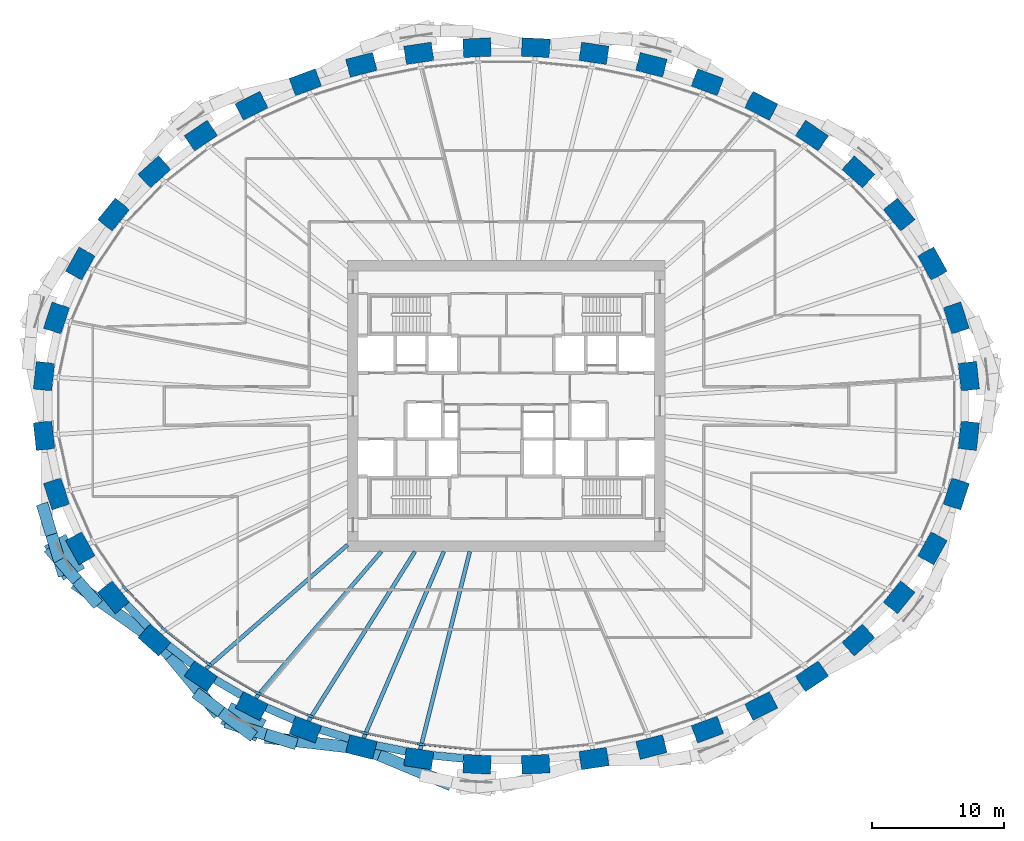
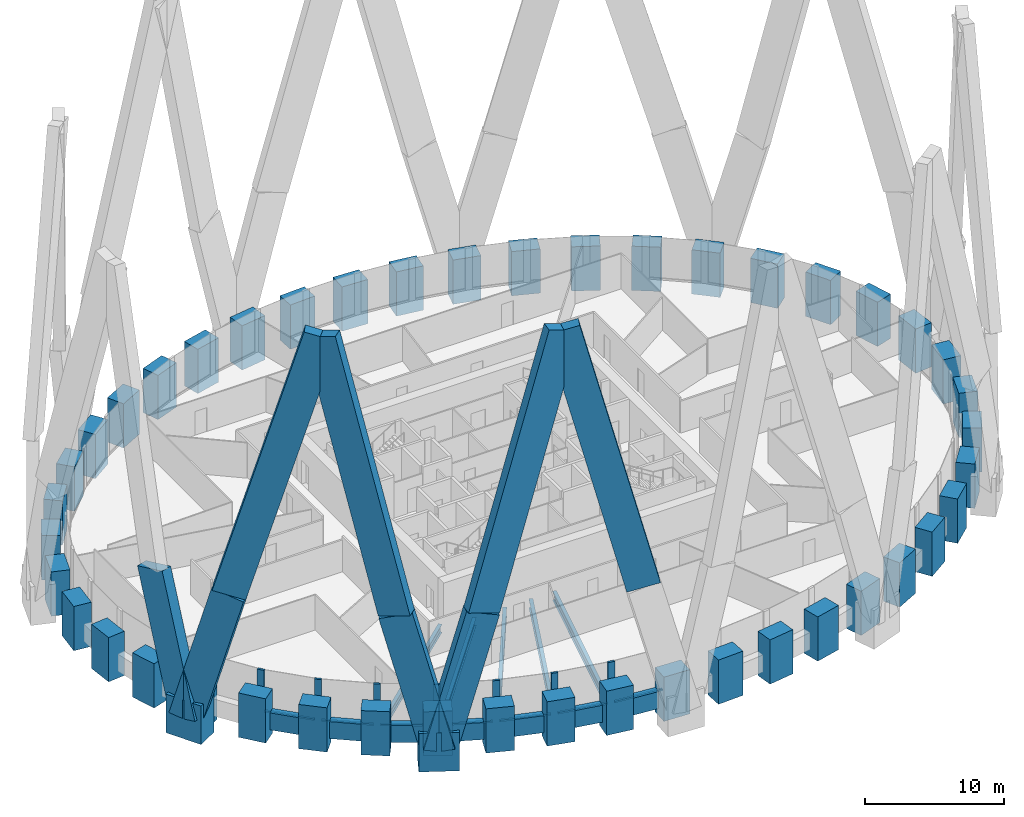
# One storey, part 1 of 12: 44 columns, 24 members, 12 beams, 1 element without a shape of its own.
"""IFC4 building model written with IfcOpenShell, lengths in metres."""

from ifc_helpers import new_model, si_unit, direction, frame, origin, origin_2d, place, context, subcontext, project, spatial, rectangle, i_section, extrude, source, transform, mapped, material, material_profile, profile_set, type_object, element, aggregate, save


model = new_model("IFC4")

# Units and contexts
model_context = context("Model", 3, precision=1e-05, world=origin(), true_north=direction((0.0, 1.0)))
body_context = subcontext(model_context, "Body", "Model", "MODEL_VIEW")
ifc_project = project(units=[si_unit("LENGTHUNIT", "METRE"), si_unit("AREAUNIT", "SQUARE_METRE"), si_unit("VOLUMEUNIT", "CUBIC_METRE"), si_unit("PLANEANGLEUNIT", "RADIAN"), si_unit("MASSUNIT", "GRAM", prefix="KILO")], contexts=[model_context])

# Site, building, storey
site_placement = place(None, origin())
site = spatial("IfcSite", under=ifc_project, at=site_placement, CompositionType="ELEMENT")
building_placement = place(site_placement, origin())
building = spatial("IfcBuilding", under=site, at=building_placement, Name="Embergate Tower", CompositionType="ELEMENT")
storey_placement = place(building_placement, frame((0.0, 0.0, 222.89990234375)))
storey = spatial("IfcBuildingStorey", under=building, at=storey_placement, Name="L51", CompositionType="ELEMENT", Elevation=222.89990234375)

# Columns
ifc_material_1 = material(Name="Concrete C60", Category="concrete")
ifc_material_profile_1 = material_profile(ifc_material_1, rectangle(XDim=1.39990234375, YDim=2.10009765625, at=origin_2d()), Name="RC 1400x2100")
ifc_profile_set_1 = profile_set([ifc_material_profile_1], Name="Concrete C60")
column_type = type_object("IfcColumnType", Name="Ring column RC 1400x2100 C60", PredefinedType="COLUMN", material=ifc_profile_set_1)
shared_shape_1 = source(origin(), body_context, "Body", "SweptSolid", [
    extrude(rectangle(XDim=1.39990234375, YDim=2.10009765625, at=origin_2d()), origin(), (0.0, 0.0, 1.0), 3.89990234375),
])
for number, where, z_axis, x_axis, name in (
    (1, (34.93505859375, 2.25, -1.39990234375), (0.0, 0.0, 1.0), (0.99428589498, 0.106749983816, 0.0), "COL-L51-00"),
    (2, (33.989990234375, 6.64501953125, -1.39990234375), (0.0, 0.0, 1.0), (0.950754033697, 0.309946394413, 0.0), "COL-L51-01"),
    (3, (32.18798828125, 10.75390625, -1.39990234375), (0.0, 0.0, 1.0), (0.873500465855, 0.486823311018, 0.0), "COL-L51-02"),
    (4, (29.672119140625, 14.455078125, -1.39990234375), (0.0, 0.0, 1.0), (0.775925311702, 0.630824786022, 0.0), "COL-L51-03"),
    (5, (26.592041015625, 17.68408203125, -1.39990234375), (0.0, 0.0, 1.0), (0.669221393633, 0.743063070206, 0.0), "COL-L51-04"),
    (6, (23.0830078125, 20.423095703125, -1.39990234375), (0.0, 0.0, 1.0), (0.560393279442, 0.828226643109, 0.0), "COL-L51-05"),
    (7, (19.2529296875, 22.675048828125, -1.39990234375), (0.0, 0.0, 1.0), (0.453010512651, 0.891505174089, 0.0), "COL-L51-06"),
    (8, (15.18896484375, 24.452880859375, -1.39990234375), (0.0, 0.0, 1.0), (0.348343015724, 0.93736713373, 0.0), "COL-L51-07"),
    (9, (10.9580078125, 25.77001953125, -1.39990234375), (0.0, 0.0, 1.0), (0.24650851817, 0.969140624713, 0.0), "COL-L51-08"),
    (10, (6.616943359375, 26.64111328125, -1.39990234375), (0.0, 0.0, 1.0), (0.146929011949, 0.989147039346, 0.0), "COL-L51-09"),
    (11, (2.212890625, 27.073974609375, -1.39990234375), (0.0, 0.0, 1.0), (0.048814904854, 0.998807841912, 0.0), "COL-L51-10"),
    (12, (-2.212890625, 27.073974609375, -1.39990234375), (0.0, 0.0, 1.0), (-0.048814904854, 0.998807841912, 0.0), "COL-L51-11"),
    (13, (-6.616943359375, 26.64111328125, -1.39990234375), (0.0, 0.0, 1.0), (-0.146929011949, 0.989147039346, 0.0), "COL-L51-12"),
    (14, (-10.9580078125, 25.77001953125, -1.39990234375), (0.0, 0.0, 1.0), (-0.24650851817, 0.969140624713, 0.0), "COL-L51-13"),
    (15, (-15.18896484375, 24.452880859375, -1.39990234375), (0.0, 0.0, 1.0), (-0.348343015724, 0.93736713373, 0.0), "COL-L51-14"),
    (16, (-19.2529296875, 22.675048828125, -1.39990234375), (0.0, 0.0, 1.0), (-0.453010512651, 0.891505174089, 0.0), "COL-L51-15"),
    (17, (-23.0830078125, 20.423095703125, -1.39990234375), (0.0, 0.0, 1.0), (-0.560393279442, 0.828226643109, 0.0), "COL-L51-16"),
    (18, (-26.592041015625, 17.68408203125, -1.39990234375), (0.0, 0.0, 1.0), (-0.669221393633, 0.743063070206, 0.0), "COL-L51-17"),
    (19, (-29.672119140625, 14.455078125, -1.39990234375), (0.0, 0.0, 1.0), (-0.775925311702, 0.630824786022, 0.0), "COL-L51-18"),
    (20, (-32.18798828125, 10.75390625, -1.39990234375), (0.0, 0.0, 1.0), (-0.873500465855, 0.486823311018, 0.0), "COL-L51-19"),
    (21, (-33.989990234375, 6.64501953125, -1.39990234375), (0.0, 0.0, 1.0), (-0.950754033697, 0.309946394413, 0.0), "COL-L51-20"),
    (22, (-34.93505859375, 2.25, -1.39990234375), (0.0, 0.0, 1.0), (-0.99428589498, 0.106749983816, 0.0), "COL-L51-21"),
    (23, (-34.93505859375, -2.25, -1.39990234375), (0.0, 0.0, 1.0), (-0.99428589498, -0.106749983816, 0.0), "COL-L51-22"),
    (24, (-33.989990234375, -6.64501953125, -1.39990234375), (0.0, 0.0, 1.0), (-0.950754033697, -0.309946394413, 0.0), "COL-L51-23"),
    (25, (-32.18798828125, -10.75390625, -1.39990234375), (0.0, 0.0, 1.0), (-0.873500465855, -0.486823311018, 0.0), "COL-L51-24"),
    (26, (-29.672119140625, -14.455078125, -1.39990234375), (0.0, 0.0, 1.0), (-0.775925311702, -0.630824786022, 0.0), "COL-L51-25"),
    (27, (-26.592041015625, -17.68408203125, -1.39990234375), (0.0, 0.0, 1.0), (-0.669221393633, -0.743063070206, 0.0), "COL-L51-26"),
    (28, (-23.0830078125, -20.423095703125, -1.39990234375), (0.0, 0.0, 1.0), (-0.560393279442, -0.828226643109, 0.0), "COL-L51-27"),
    (29, (-19.2529296875, -22.675048828125, -1.39990234375), (0.0, 0.0, 1.0), (-0.453010512651, -0.891505174089, 0.0), "COL-L51-28"),
    (30, (-15.18896484375, -24.452880859375, -1.39990234375), (0.0, 0.0, 1.0), (-0.348343015724, -0.93736713373, 0.0), "COL-L51-29"),
    (31, (-10.9580078125, -25.77001953125, -1.39990234375), (0.0, 0.0, 1.0), (-0.24650851817, -0.969140624713, 0.0), "COL-L51-30"),
    (32, (-6.616943359375, -26.64111328125, -1.39990234375), (0.0, 0.0, 1.0), (-0.146929011949, -0.989147039346, 0.0), "COL-L51-31"),
    (33, (-2.212890625, -27.073974609375, -1.39990234375), (0.0, 0.0, 1.0), (-0.048814904854, -0.998807841912, 0.0), "COL-L51-32"),
    (34, (2.212890625, -27.073974609375, -1.39990234375), (0.0, 0.0, 1.0), (0.048814904854, -0.998807841912, 0.0), "COL-L51-33"),
    (35, (6.616943359375, -26.64111328125, -1.39990234375), (0.0, 0.0, 1.0), (0.146929011949, -0.989147039346, 0.0), "COL-L51-34"),
    (36, (10.9580078125, -25.77001953125, -1.39990234375), (0.0, 0.0, 1.0), (0.24650851817, -0.969140624713, 0.0), "COL-L51-35"),
    (37, (15.18896484375, -24.452880859375, -1.39990234375), (0.0, 0.0, 1.0), (0.348343015724, -0.93736713373, 0.0), "COL-L51-36"),
    (38, (19.2529296875, -22.675048828125, -1.39990234375), (0.0, 0.0, 1.0), (0.453010512651, -0.891505174089, 0.0), "COL-L51-37"),
    (39, (23.0830078125, -20.423095703125, -1.39990234375), (0.0, 0.0, 1.0), (0.560393279442, -0.828226643109, 0.0), "COL-L51-38"),
    (40, (26.592041015625, -17.68408203125, -1.39990234375), (0.0, 0.0, 1.0), (0.669221393633, -0.743063070206, 0.0), "COL-L51-39"),
    (41, (29.672119140625, -14.455078125, -1.39990234375), (0.0, 0.0, 1.0), (0.775925311702, -0.630824786022, 0.0), "COL-L51-40"),
    (42, (32.18798828125, -10.75390625, -1.39990234375), (0.0, 0.0, 1.0), (0.873500465855, -0.486823311018, 0.0), "COL-L51-41"),
    (43, (33.989990234375, -6.64501953125, -1.39990234375), (0.0, 0.0, 1.0), (0.950754033697, -0.309946394413, 0.0), "COL-L51-42"),
    (44, (34.93505859375, -2.25, -1.39990234375), (0.0, 0.0, 1.0), (0.99428589498, -0.106749983816, 0.0), "COL-L51-43"),
):
    element("IfcColumn", number, at=place(storey_placement, frame(where, z_axis=z_axis, x_axis=x_axis)), inside=storey, type_object=column_type, Name=name, PredefinedType="COLUMN", context=body_context, shape_type="MappedRepresentation", body=[
        mapped(shared_shape_1, transform((0.0, 0.0, 0.0))),
    ])

# Beams
ifc_material_profile_2 = material_profile(ifc_material_1, rectangle(XDim=0.60009765625, YDim=1.5, at=origin_2d()), Name="RC 600x1500")
ifc_profile_set_2 = profile_set([ifc_material_profile_2], Name="Concrete C60")
beam_type_1 = type_object("IfcBeamType", Name="Spandrel beam RC 600x1500 C60", PredefinedType="BEAM", material=ifc_profile_set_2)
shared_shape_2 = source(origin(), body_context, "Body", "SweptSolid", [
    extrude(rectangle(XDim=0.60009765625, YDim=1.5, at=origin_2d()), origin(), (0.0, 0.0, 1.0), 2.30712890625),
])
beam_1_placement = place(storey_placement, frame((-28.697998046875, -15.01611328125, 0.0), z_axis=(0.690460646057, -0.723369958076, 0.0), x_axis=(0.723369958076, 0.690460646057, 0.0)))
element("IfcBeam", 45, at=beam_1_placement, inside=storey, type_object=beam_type_1, Name="SPN-L51-25", PredefinedType="BEAM", context=body_context, shape_type="MappedRepresentation", body=[
    mapped(shared_shape_2, transform((0.0, 0.0, 0.0))),
])
shared_shape_3 = source(origin(), body_context, "Body", "SweptSolid", [
    extrude(rectangle(XDim=0.60009765625, YDim=1.5, at=origin_2d()), origin(), (0.0, 0.0, 1.0), 2.30224609375),
])
beam_2_placement = place(storey_placement, frame((-25.549072265625, -18.094970703125, 0.0), z_axis=(0.788466304813, -0.6150779513, 0.0), x_axis=(0.6150779513, 0.788466304813, 0.0)))
element("IfcBeam", 46, at=beam_2_placement, inside=storey, type_object=beam_type_1, Name="SPN-L51-26", PredefinedType="BEAM", context=body_context, shape_type="MappedRepresentation", body=[
    mapped(shared_shape_3, transform((0.0, 0.0, 0.0))),
])
shared_shape_4 = source(origin(), body_context, "Body", "SweptSolid", [
    extrude(rectangle(XDim=0.60009765625, YDim=1.5, at=origin_2d()), origin(), (0.0, 0.0, 1.0), 2.29931640625),
])
beam_3_placement = place(storey_placement, frame((-21.9970703125, -20.69189453125, 0.0), z_axis=(0.86211432003, -0.506713823769, 0.0), x_axis=(0.506713823769, 0.86211432003, 0.0)))
element("IfcBeam", 47, at=beam_3_placement, inside=storey, type_object=beam_type_1, Name="SPN-L51-27", PredefinedType="BEAM", context=body_context, shape_type="MappedRepresentation", body=[
    mapped(shared_shape_4, transform((0.0, 0.0, 0.0))),
])
shared_shape_5 = source(origin(), body_context, "Body", "SweptSolid", [
    extrude(rectangle(XDim=0.60009765625, YDim=1.5, at=origin_2d()), origin(), (0.0, 0.0, 1.0), 2.294189453125),
])
beam_4_placement = place(storey_placement, frame((-18.135986328125, -22.7939453125, 0.0), z_axis=(0.916269649714, -0.400562016437, 0.0), x_axis=(0.400562016437, 0.916269649714, 0.0)))
element("IfcBeam", 48, at=beam_4_placement, inside=storey, type_object=beam_type_1, Name="SPN-L51-28", PredefinedType="BEAM", context=body_context, shape_type="MappedRepresentation", body=[
    mapped(shared_shape_5, transform((0.0, 0.0, 0.0))),
])
shared_shape_6 = source(origin(), body_context, "Body", "SweptSolid", [
    extrude(rectangle(XDim=0.60009765625, YDim=1.5, at=origin_2d()), origin(), (0.0, 0.0, 1.0), 2.29248046875),
])
beam_5_placement = place(storey_placement, frame((-14.06689453125, -24.447021484375, 0.0), z_axis=(0.954869530389, -0.297025554345, 0.0), x_axis=(0.297025554345, 0.954869530389, 0.0)))
element("IfcBeam", 49, at=beam_5_placement, inside=storey, type_object=beam_type_1, Name="SPN-L51-29", PredefinedType="BEAM", context=body_context, shape_type="MappedRepresentation", body=[
    mapped(shared_shape_6, transform((0.0, 0.0, 0.0))),
])
shared_shape_7 = source(origin(), body_context, "Body", "SweptSolid", [
    extrude(rectangle(XDim=0.60009765625, YDim=1.5, at=origin_2d()), origin(), (0.0, 0.0, 1.0), 2.289794921875),
])
beam_6_placement = place(storey_placement, frame((-9.843017578125, -25.64794921875, 0.0), z_axis=(0.980502681686, -0.196505702735, 0.0), x_axis=(0.196505702735, 0.980502681686, 0.0)))
element("IfcBeam", 50, at=beam_6_placement, inside=storey, type_object=beam_type_1, Name="SPN-L51-30", PredefinedType="BEAM", context=body_context, shape_type="MappedRepresentation", body=[
    mapped(shared_shape_7, transform((0.0, 0.0, 0.0))),
])
shared_shape_8 = source(origin(), body_context, "Body", "SweptSolid", [
    extrude(rectangle(XDim=0.60009765625, YDim=1.5, at=origin_2d()), origin(), (0.0, 0.0, 1.0), 2.2890625),
])
beam_7_placement = place(storey_placement, frame((-5.52099609375, -26.407958984375, 0.0), z_axis=(0.995195366702, -0.097909050116, 0.0), x_axis=(0.097909050116, 0.995195366702, 0.0)))
element("IfcBeam", 51, at=beam_7_placement, inside=storey, type_object=beam_type_1, Name="SPN-L51-31", PredefinedType="BEAM", context=body_context, shape_type="MappedRepresentation", body=[
    mapped(shared_shape_8, transform((0.0, 0.0, 0.0))),
])
ifc_material_2 = material(Name="Steel Q355B", Category="steel")
ifc_material_profile_3 = material_profile(ifc_material_2, i_section(OverallWidth=0.300048828125, OverallDepth=0.699951171875, WebThickness=0.012939453125, FlangeThickness=0.02392578125, FilletRadius=0.01806640625, at=origin_2d()), Name="HN 700x300x13x24")
ifc_profile_set_3 = profile_set([ifc_material_profile_3], Name="Steel Q355 grade B")
beam_type_2 = type_object("IfcBeamType", Name="Radial girder HN 700x300x13x24", PredefinedType="BEAM", material=ifc_profile_set_3)
shared_shape_9 = source(origin(), body_context, "Body", "SweptSolid", [
    extrude(i_section(OverallWidth=0.300048828125, OverallDepth=0.699951171875, WebThickness=0.012939453125, FlangeThickness=0.02392578125, FilletRadius=0.01806640625, at=origin_2d()), origin(), (0.0, 0.0, 1.0), 14.2021484375),
])
beam_8_placement = place(storey_placement, frame((-22.69091796875, -19.843017578125, -0.5498046875), z_axis=(0.752766213958, 0.658287951525, 0.0), x_axis=(-0.658287951525, 0.752766213958, 0.0)))
element("IfcBeam", 52, at=beam_8_placement, inside=storey, type_object=beam_type_2, Name="GIR-L51-27", PredefinedType="BEAM", context=body_context, shape_type="MappedRepresentation", body=[
    mapped(shared_shape_9, transform((0.0, 0.0, 0.0))),
])
shared_shape_10 = source(origin(), body_context, "Body", "SweptSolid", [
    extrude(i_section(OverallWidth=0.300048828125, OverallDepth=0.699951171875, WebThickness=0.012939453125, FlangeThickness=0.02392578125, FilletRadius=0.01806640625, at=origin_2d()), origin(), (0.0, 0.0, 1.0), 14.566650390625),
])
beam_9_placement = place(storey_placement, frame((-18.93603515625, -22.051025390625, -0.5498046875), z_axis=(0.651490890216, 0.758656457144, 0.0), x_axis=(-0.758656457144, 0.651490890216, 0.0)))
element("IfcBeam", 53, at=beam_9_placement, inside=storey, type_object=beam_type_2, Name="GIR-L51-28", PredefinedType="BEAM", context=body_context, shape_type="MappedRepresentation", body=[
    mapped(shared_shape_10, transform((0.0, 0.0, 0.0))),
])
ifc_material_profile_4 = material_profile(ifc_material_2, i_section(OverallWidth=0.300048828125, OverallDepth=0.800048828125, WebThickness=0.013916015625, FlangeThickness=0.02587890625, FilletRadius=0.028076171875, at=origin_2d()), Name="HN 800x300x14x26")
ifc_profile_set_4 = profile_set([ifc_material_profile_4], Name="Steel Q355 grade B")
beam_type_3 = type_object("IfcBeamType", Name="Radial girder HN 800x300x14x26", PredefinedType="BEAM", material=ifc_profile_set_4)
shared_shape_11 = source(origin(), body_context, "Body", "SweptSolid", [
    extrude(i_section(OverallWidth=0.300048828125, OverallDepth=0.800048828125, WebThickness=0.013916015625, FlangeThickness=0.02587890625, FilletRadius=0.028076171875, at=origin_2d()), origin(), (0.0, 0.0, 1.0), 15.111572265625),
])
beam_10_placement = place(storey_placement, frame((-14.945068359375, -23.797119140625, -0.599853515625), z_axis=(0.531849241283, 0.846839054689, 0.0), x_axis=(-0.846839054689, 0.531849241283, 0.0)))
element("IfcBeam", 54, at=beam_10_placement, inside=storey, type_object=beam_type_3, Name="GIR-L51-29", PredefinedType="BEAM", context=body_context, shape_type="MappedRepresentation", body=[
    mapped(shared_shape_11, transform((0.0, 0.0, 0.0))),
])
shared_shape_12 = source(origin(), body_context, "Body", "SweptSolid", [
    extrude(i_section(OverallWidth=0.300048828125, OverallDepth=0.800048828125, WebThickness=0.013916015625, FlangeThickness=0.02587890625, FilletRadius=0.028076171875, at=origin_2d()), origin(), (0.0, 0.0, 1.0), 15.338623046875),
])
beam_11_placement = place(storey_placement, frame((-10.784912109375, -25.092041015625, -0.599853515625), z_axis=(0.394879579292, 0.91873288711, 0.0), x_axis=(-0.91873288711, 0.394879579292, 0.0)))
element("IfcBeam", 55, at=beam_11_placement, inside=storey, type_object=beam_type_3, Name="GIR-L51-30", PredefinedType="BEAM", context=body_context, shape_type="MappedRepresentation", body=[
    mapped(shared_shape_12, transform((0.0, 0.0, 0.0))),
])
shared_shape_13 = source(origin(), body_context, "Body", "SweptSolid", [
    extrude(i_section(OverallWidth=0.300048828125, OverallDepth=0.800048828125, WebThickness=0.013916015625, FlangeThickness=0.02587890625, FilletRadius=0.028076171875, at=origin_2d()), origin(), (0.0, 0.0, 1.0), 15.412841796875),
])
beam_12_placement = place(storey_placement, frame((-6.513916015625, -25.948974609375, -0.599853515625), z_axis=(0.243493364417, 0.969902562882, 0.0), x_axis=(-0.969902562882, 0.243493364417, 0.0)))
element("IfcBeam", 56, at=beam_12_placement, inside=storey, type_object=beam_type_3, Name="GIR-L51-31", PredefinedType="BEAM", context=body_context, shape_type="MappedRepresentation", body=[
    mapped(shared_shape_13, transform((0.0, 0.0, 0.0))),
])

# Members
ifc_material_3 = material(Name="Concrete C70", Category="concrete")
ifc_material_profile_5 = material_profile(ifc_material_3, rectangle(XDim=1.800048828125, YDim=2.949951171875, at=origin_2d()), Name="RC 1800x2950")
ifc_profile_set_5 = profile_set([ifc_material_profile_5], Name="Concrete C70")
member_type_1 = type_object("IfcMemberType", Name="Lattice node block RC 1800x2950", PredefinedType="POST", material=ifc_profile_set_5)
shared_shape_14 = source(origin(), body_context, "Body", "SweptSolid", [
    extrude(rectangle(XDim=1.800048828125, YDim=2.949951171875, at=origin_2d()), origin(), (0.0, 0.0, 1.0), 3.400146484375),
])
member_1_placement = place(storey_placement, frame((-19.864990234375, -23.87890625, -1.699951171875), z_axis=(0.0, 0.0, 1.0), x_axis=(-0.453010512651, -0.891505174089, 0.0)))
element("IfcMember", 57, at=member_1_placement, inside=storey, type_object=member_type_1, Name="NOD-L51-28", PredefinedType="POST", context=body_context, shape_type="MappedRepresentation", body=[
    mapped(shared_shape_14, transform((0.0, 0.0, 0.0))),
])
ifc_material_profile_6 = material_profile(ifc_material_3, rectangle(XDim=1.85009765625, YDim=2.949951171875, at=origin_2d()), Name="RC 1850x2950")
ifc_profile_set_6 = profile_set([ifc_material_profile_6], Name="Concrete C70")
member_type_2 = type_object("IfcMemberType", Name="Lattice node block RC 1850x2950", PredefinedType="POST", material=ifc_profile_set_6)
shared_shape_15 = source(origin(), body_context, "Body", "SweptSolid", [
    extrude(rectangle(XDim=1.85009765625, YDim=2.949951171875, at=origin_2d()), origin(), (0.0, 0.0, 1.0), 3.400146484375),
])
member_2_placement = place(storey_placement, frame((-33.388916015625, -11.424072265625, -1.699951171875), z_axis=(0.0, 0.0, 1.0), x_axis=(-0.873500465855, -0.486823311018, 0.0)))
element("IfcMember", 58, at=member_2_placement, inside=storey, type_object=member_type_2, Name="NOD-L51-24", PredefinedType="POST", context=body_context, shape_type="MappedRepresentation", body=[
    mapped(shared_shape_15, transform((0.0, 0.0, 0.0))),
])
ifc_material_profile_7 = material_profile(ifc_material_3, rectangle(XDim=0.89990234375, YDim=2.530029296875, at=origin_2d()), Name="RC 900x2530")
ifc_profile_set_7 = profile_set([ifc_material_profile_7], Name="Concrete C70")
member_type_3 = type_object("IfcMemberType", Name="Lattice diagonal terracotta-faced RC 900x2530", PredefinedType="BRACE", material=ifc_profile_set_7)
shared_shape_16 = source(origin(), body_context, "Body", "SweptSolid", [
    extrude(rectangle(XDim=0.89990234375, YDim=2.530029296875, at=origin_2d()), origin(), (0.0, 0.0, 1.0), 12.136962890625),
])
member_3_placement = place(storey_placement, frame((-33.782958984375, -11.64306640625, 0.0), z_axis=(-0.077947236384, 0.254178394569, 0.96401118877), x_axis=(-0.956055056522, -0.293187190885, 0.0)))
element("IfcMember", 59, at=member_3_placement, inside=storey, type_object=member_type_3, Name="BRC-L51-24-22-S00", PredefinedType="BRACE", context=body_context, shape_type="MappedRepresentation", body=[
    mapped(shared_shape_16, transform((0.0, 0.0, 0.0))),
])
shared_shape_17 = source(origin(), body_context, "Body", "SweptSolid", [
    extrude(rectangle(XDim=0.89990234375, YDim=2.530029296875, at=origin_2d()), origin(), (0.0, 0.0, 1.0), 12.14501953125),
])
member_4_placement = place(storey_placement, frame((-33.782958984375, -11.64306640625, 0.0), z_axis=(0.176114520828, -0.202227152097, 0.963373164723), x_axis=(0.754116325683, 0.656740867724, 0.0)))
element("IfcMember", 60, at=member_4_placement, inside=storey, type_object=member_type_3, Name="BRC-L51-24-26-S00", PredefinedType="BRACE", context=body_context, shape_type="MappedRepresentation", body=[
    mapped(shared_shape_17, transform((0.0, 0.0, 0.0))),
])
shared_shape_18 = source(origin(), body_context, "Body", "SweptSolid", [
    extrude(rectangle(XDim=0.89990234375, YDim=2.530029296875, at=origin_2d()), origin(), (0.0, 0.0, 1.0), 24.140869140625),
])
member_5_placement = place(storey_placement, frame((-31.64404296875, -14.09912109375, 11.7001953125), z_axis=(0.225797114704, -0.159515290466, 0.961025772339), x_axis=(0.576994813698, 0.816747809893, 0.0)))
element("IfcMember", 61, at=member_5_placement, inside=storey, type_object=member_type_3, Name="BRC-L51-24-26-S01", PredefinedType="BRACE", context=body_context, shape_type="MappedRepresentation", body=[
    mapped(shared_shape_18, transform((0.0, 0.0, 0.0))),
])
shared_shape_19 = source(origin(), body_context, "Body", "SweptSolid", [
    extrude(rectangle(XDim=0.89990234375, YDim=2.530029296875, at=origin_2d()), origin(), (0.0, 0.0, 1.0), 12.1015625),
])
member_6_placement = place(storey_placement, frame((-20.051025390625, -24.2451171875, 0.0), z_axis=(-0.204185671793, 0.153386390934, 0.966840641735), x_axis=(-0.600619161801, -0.799535254056, 0.0)))
element("IfcMember", 62, at=member_6_placement, inside=storey, type_object=member_type_3, Name="BRC-L51-28-26-S00", PredefinedType="BRACE", context=body_context, shape_type="MappedRepresentation", body=[
    mapped(shared_shape_19, transform((0.0, 0.0, 0.0))),
])
shared_shape_20 = source(origin(), body_context, "Body", "SweptSolid", [
    extrude(rectangle(XDim=0.89990234375, YDim=2.530029296875, at=origin_2d()), origin(), (0.0, 0.0, 1.0), 23.904296875),
])
member_7_placement = place(storey_placement, frame((-22.52197265625, -22.388916015625, 11.7001953125), z_axis=(-0.153576140617, 0.185696707368, 0.970531350295), x_axis=(-0.770606043621, -0.637311796168, 0.0)))
element("IfcMember", 63, at=member_7_placement, inside=storey, type_object=member_type_3, Name="BRC-L51-28-26-S01", PredefinedType="BRACE", context=body_context, shape_type="MappedRepresentation", body=[
    mapped(shared_shape_20, transform((0.0, 0.0, 0.0))),
])
shared_shape_21 = source(origin(), body_context, "Body", "SweptSolid", [
    extrude(rectangle(XDim=0.89990234375, YDim=2.530029296875, at=origin_2d()), origin(), (0.0, 0.0, 1.0), 12.121826171875),
])
member_8_placement = place(storey_placement, frame((-20.051025390625, -24.2451171875, 0.0), z_axis=(0.249801351795, -0.077278705703, 0.965208415984), x_axis=(0.295541471282, 0.955329910948, 0.0)))
element("IfcMember", 64, at=member_8_placement, inside=storey, type_object=member_type_3, Name="BRC-L51-28-30-S00", PredefinedType="BRACE", context=body_context, shape_type="MappedRepresentation", body=[
    mapped(shared_shape_21, transform((0.0, 0.0, 0.0))),
])
shared_shape_22 = source(origin(), body_context, "Body", "SweptSolid", [
    extrude(rectangle(XDim=0.89990234375, YDim=2.530029296875, at=origin_2d()), origin(), (0.0, 0.0, 1.0), 24.049072265625),
])
member_9_placement = place(storey_placement, frame((-17.02294921875, -25.181884765625, 11.7001953125), z_axis=(0.26163128298, -0.030313169757, 0.964691755695), x_axis=(0.115092249571, 0.993354807754, 0.0)))
element("IfcMember", 65, at=member_9_placement, inside=storey, type_object=member_type_3, Name="BRC-L51-28-30-S01", PredefinedType="BRACE", context=body_context, shape_type="MappedRepresentation", body=[
    mapped(shared_shape_22, transform((0.0, 0.0, 0.0))),
])
shared_shape_23 = source(origin(), body_context, "Body", "SweptSolid", [
    extrude(rectangle(XDim=0.89990234375, YDim=2.530029296875, at=origin_2d()), origin(), (0.0, 0.0, 1.0), 23.931640625),
])
member_10_placement = place(storey_placement, frame((-5.31201171875, -28.174072265625, 11.7001953125), z_axis=(-0.226434089646, 0.09456857141, 0.969424771887), x_axis=(-0.385382755288, -0.922756810827, 0.0)))
element("IfcMember", 66, at=member_10_placement, inside=storey, type_object=member_type_3, Name="BRC-L51-32-30-S01", PredefinedType="BRACE", context=body_context, shape_type="MappedRepresentation", body=[
    mapped(shared_shape_23, transform((0.0, 0.0, 0.0))),
])

# Curtain wall, members
ifc_material_4 = material(Name="Aluminium and glass", Category="aluminium")
curtain_wall_type = type_object("IfcCurtainWallType", Name="Recessed office glazing", PredefinedType="NOTDEFINED", material=ifc_material_4)
curtain_wall_placement = place(storey_placement, origin())
curtain_wall = element("IfcCurtainWall", 67, at=curtain_wall_placement, inside=storey, type_object=curtain_wall_type, Name="Recessed office glazing ring", ObjectType="RECESSED OFFICE GLAZING", PredefinedType="USERDEFINED")
ifc_material_5 = material(Name="Aluminium, thermally broken", Category="aluminium")
ifc_material_profile_8 = material_profile(ifc_material_5, rectangle(XDim=0.179931640625, YDim=0.52001953125, at=origin_2d()), Name="AL 520x180")
ifc_profile_set_8 = profile_set([ifc_material_profile_8], Name="Aluminium, thermally broken")
member_type_4 = type_object("IfcMemberType", Name="Office mullion", PredefinedType="MULLION", material=ifc_profile_set_8)
shared_shape_24 = source(origin(), body_context, "Body", "SweptSolid", [
    extrude(rectangle(XDim=0.179931640625, YDim=0.52001953125, at=origin_2d()), origin(), (0.0, 0.0, 1.0), 3.7001953125),
])
member_11_placement = place(storey_placement, frame((-28.826171875, -13.76708984375, 0.0), z_axis=(0.0, 0.0, 1.0), x_axis=(0.777872564355, 0.628422050555, 0.0)))
member_11 = element("IfcMember", 68, at=member_11_placement, type_object=member_type_4, Name="CW mullion 26", PredefinedType="MULLION", context=body_context, shape_type="MappedRepresentation", body=[
    mapped(shared_shape_24, transform((0.0, 0.0, 0.0))),
])
member_12_placement = place(storey_placement, frame((-25.86279296875, -16.87451171875, 0.0), z_axis=(0.0, 0.0, 1.0), x_axis=(0.671227827685, 0.741251106806, 0.0)))
member_12 = element("IfcMember", 69, at=member_12_placement, type_object=member_type_4, Name="CW mullion 27", PredefinedType="MULLION", context=body_context, shape_type="MappedRepresentation", body=[
    mapped(shared_shape_24, transform((0.0, 0.0, 0.0))),
])
member_13_placement = place(storey_placement, frame((-22.472412109375, -19.520751953125, 0.0), z_axis=(0.0, 0.0, 1.0), x_axis=(0.562219061911, 0.826988347211, 0.0)))
member_13 = element("IfcMember", 70, at=member_13_placement, type_object=member_type_4, Name="CW mullion 28", PredefinedType="MULLION", context=body_context, shape_type="MappedRepresentation", body=[
    mapped(shared_shape_24, transform((0.0, 0.0, 0.0))),
])
member_14_placement = place(storey_placement, frame((-18.759521484375, -21.70361328125, 0.0), z_axis=(0.0, 0.0, 1.0), x_axis=(0.454512935162, 0.89074013706, 0.0)))
member_14 = element("IfcMember", 71, at=member_14_placement, type_object=member_type_4, Name="CW mullion 29", PredefinedType="MULLION", context=body_context, shape_type="MappedRepresentation", body=[
    mapped(shared_shape_24, transform((0.0, 0.0, 0.0))),
])
member_15_placement = place(storey_placement, frame((-14.80908203125, -23.430908203125, 0.0), z_axis=(0.0, 0.0, 1.0), x_axis=(0.349504318111, 0.93693475313, 0.0)))
member_15 = element("IfcMember", 72, at=member_15_placement, type_object=member_type_4, Name="CW mullion 30", PredefinedType="MULLION", context=body_context, shape_type="MappedRepresentation", body=[
    mapped(shared_shape_24, transform((0.0, 0.0, 0.0))),
])
member_16_placement = place(storey_placement, frame((-10.689453125, -24.7138671875, 0.0), z_axis=(0.0, 0.0, 1.0), x_axis=(0.247313572481, 0.968935496752, 0.0)))
member_16 = element("IfcMember", 73, at=member_16_placement, type_object=member_type_4, Name="CW mullion 31", PredefinedType="MULLION", context=body_context, shape_type="MappedRepresentation", body=[
    mapped(shared_shape_24, transform((0.0, 0.0, 0.0))),
])
member_17_placement = place(storey_placement, frame((-6.456787109375, -25.562744140625, 0.0), z_axis=(0.0, 0.0, 1.0), x_axis=(0.14741410908, 0.98907486089, 0.0)))
member_17 = element("IfcMember", 74, at=member_17_placement, type_object=member_type_4, Name="CW mullion 32", PredefinedType="MULLION", context=body_context, shape_type="MappedRepresentation", body=[
    mapped(shared_shape_24, transform((0.0, 0.0, 0.0))),
])
ifc_material_profile_9 = material_profile(ifc_material_5, rectangle(XDim=0.179931640625, YDim=0.14990234375, at=origin_2d()), Name="AL 150x180")
ifc_profile_set_9 = profile_set([ifc_material_profile_9], Name="Aluminium, thermally broken")
member_type_5 = type_object("IfcMemberType", Name="Office sill transom", PredefinedType="USERDEFINED", material=ifc_profile_set_9)
shared_shape_25 = source(origin(), body_context, "Body", "SweptSolid", [
    extrude(rectangle(XDim=0.179931640625, YDim=0.14990234375, at=origin_2d()), origin(), (0.0, 0.0, 1.0), 3.773681640625),
])
member_18_placement = place(storey_placement, frame((-28.646484375, -13.955322265625, 0.0751953125), z_axis=(0.690118677227, -0.723696214818, 0.0), x_axis=(0.723696214818, 0.690118677227, 0.0)))
member_18 = element("IfcMember", 75, at=member_18_placement, type_object=member_type_5, Name="CW transom 26.1", ObjectType="TRANSOM", PredefinedType="USERDEFINED", context=body_context, shape_type="MappedRepresentation", body=[
    mapped(shared_shape_25, transform((0.0, 0.0, 0.0))),
])
shared_shape_26 = source(origin(), body_context, "Body", "SweptSolid", [
    extrude(rectangle(XDim=0.179931640625, YDim=0.14990234375, at=origin_2d()), origin(), (0.0, 0.0, 1.0), 3.781005859375),
])
member_19_placement = place(storey_placement, frame((-25.657958984375, -17.034423828125, 0.0751953125), z_axis=(0.788315019644, -0.615271834073, 0.0), x_axis=(0.615271834073, 0.788315019644, 0.0)))
member_19 = element("IfcMember", 76, at=member_19_placement, type_object=member_type_5, Name="CW transom 27.1", ObjectType="TRANSOM", PredefinedType="USERDEFINED", context=body_context, shape_type="MappedRepresentation", body=[
    mapped(shared_shape_26, transform((0.0, 0.0, 0.0))),
])
shared_shape_27 = source(origin(), body_context, "Body", "SweptSolid", [
    extrude(rectangle(XDim=0.179931640625, YDim=0.14990234375, at=origin_2d()), origin(), (0.0, 0.0, 1.0), 3.786865234375),
])
member_20_placement = place(storey_placement, frame((-22.248046875, -19.652587890625, 0.0751953125), z_axis=(0.862071738168, -0.506786264862, 0.0), x_axis=(0.506786264862, 0.862071738168, 0.0)))
member_20 = element("IfcMember", 77, at=member_20_placement, type_object=member_type_5, Name="CW transom 28.1", ObjectType="TRANSOM", PredefinedType="USERDEFINED", context=body_context, shape_type="MappedRepresentation", body=[
    mapped(shared_shape_27, transform((0.0, 0.0, 0.0))),
])
shared_shape_28 = source(origin(), body_context, "Body", "SweptSolid", [
    extrude(rectangle(XDim=0.179931640625, YDim=0.14990234375, at=origin_2d()), origin(), (0.0, 0.0, 1.0), 3.79150390625),
])
member_21_placement = place(storey_placement, frame((-18.521240234375, -21.807861328125, 0.0751953125), z_axis=(0.916232688924, -0.400646552146, 0.0), x_axis=(0.400646552146, 0.916232688924, 0.0)))
member_21 = element("IfcMember", 78, at=member_21_placement, type_object=member_type_5, Name="CW transom 29.1", ObjectType="TRANSOM", PredefinedType="USERDEFINED", context=body_context, shape_type="MappedRepresentation", body=[
    mapped(shared_shape_28, transform((0.0, 0.0, 0.0))),
])
shared_shape_29 = source(origin(), body_context, "Body", "SweptSolid", [
    extrude(rectangle(XDim=0.179931640625, YDim=0.14990234375, at=origin_2d()), origin(), (0.0, 0.0, 1.0), 3.794677734375),
])
member_22_placement = place(storey_placement, frame((-14.560791015625, -23.50830078125, 0.0751953125), z_axis=(0.954763453415, -0.297366353213, 0.0), x_axis=(0.297366353213, 0.954763453415, 0.0)))
member_22 = element("IfcMember", 79, at=member_22_placement, type_object=member_type_5, Name="CW transom 30.1", ObjectType="TRANSOM", PredefinedType="USERDEFINED", context=body_context, shape_type="MappedRepresentation", body=[
    mapped(shared_shape_29, transform((0.0, 0.0, 0.0))),
])
shared_shape_30 = source(origin(), body_context, "Body", "SweptSolid", [
    extrude(rectangle(XDim=0.179931640625, YDim=0.14990234375, at=origin_2d()), origin(), (0.0, 0.0, 1.0), 3.797119140625),
])
member_23_placement = place(storey_placement, frame((-10.4345703125, -24.76513671875, 0.0751953125), z_axis=(0.980479151748, -0.196623073385, 0.0), x_axis=(0.196623073385, 0.980479151748, 0.0)))
member_23 = element("IfcMember", 80, at=member_23_placement, type_object=member_type_5, Name="CW transom 31.1", ObjectType="TRANSOM", PredefinedType="USERDEFINED", context=body_context, shape_type="MappedRepresentation", body=[
    mapped(shared_shape_30, transform((0.0, 0.0, 0.0))),
])
shared_shape_31 = source(origin(), body_context, "Body", "SweptSolid", [
    extrude(rectangle(XDim=0.179931640625, YDim=0.14990234375, at=origin_2d()), origin(), (0.0, 0.0, 1.0), 3.798095703125),
])
member_24_placement = place(storey_placement, frame((-6.197998046875, -25.58837890625, 0.0751953125), z_axis=(0.995202542426, -0.097836085104, 0.0), x_axis=(0.097836085104, 0.995202542426, 0.0)))
member_24 = element("IfcMember", 81, at=member_24_placement, type_object=member_type_5, Name="CW transom 32.1", ObjectType="TRANSOM", PredefinedType="USERDEFINED", context=body_context, shape_type="MappedRepresentation", body=[
    mapped(shared_shape_31, transform((0.0, 0.0, 0.0))),
])
aggregate(curtain_wall, [member_11, member_12, member_13, member_14, member_15, member_16, member_17, member_18, member_19, member_20, member_21, member_22, member_23, member_24])

save(model, "model.ifc")
